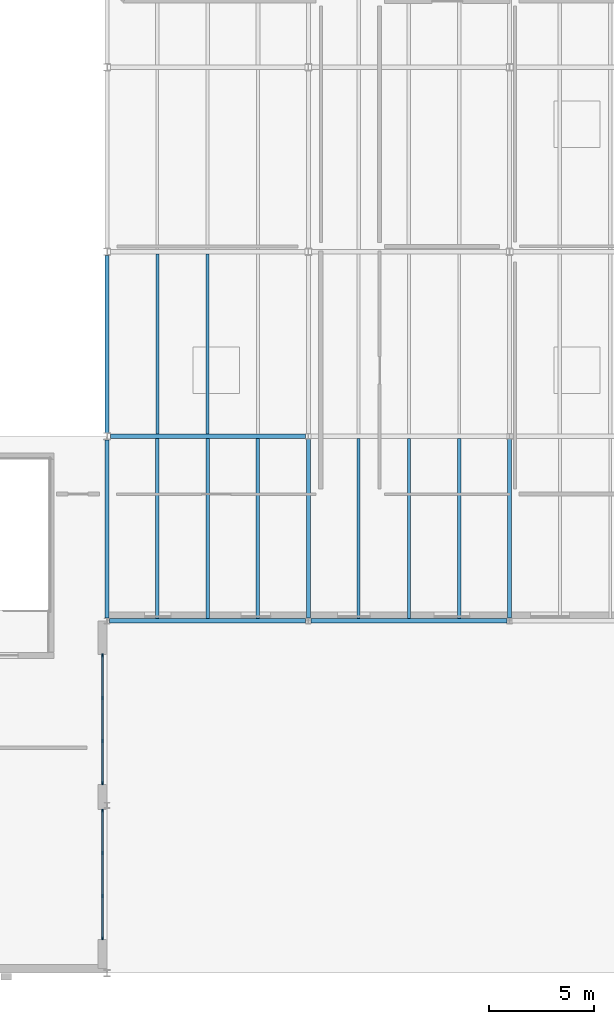
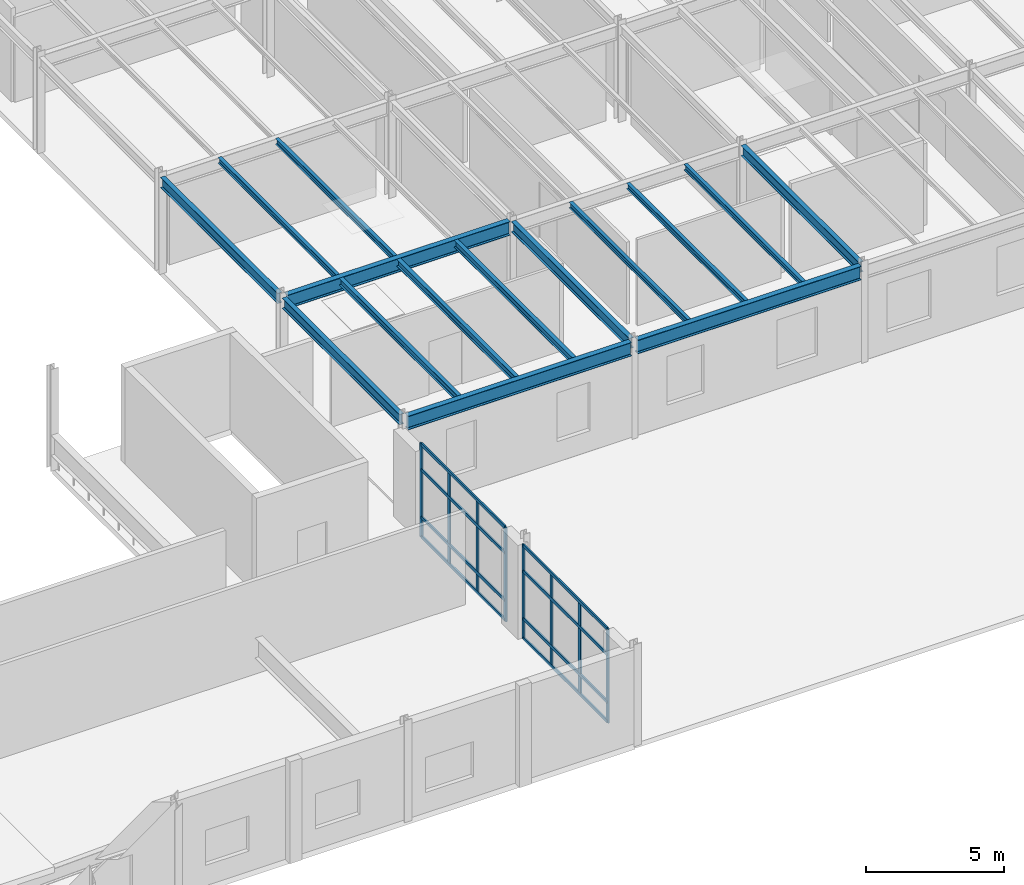
# One storey, part 23 of 77: 16 members, 15 beams, 2 elements without a shape of their own.
"""IFC4 building model written with IfcOpenShell, lengths in metres."""

from ifc_helpers import new_model, si_unit, direction, frame, origin, origin_2d, place, context, subcontext, project, spatial, rectangle, i_section, extrude, material, material_profile, profile_set, type_object, element, aggregate, save


model = new_model("IFC4")

# Units and contexts
model_context = context("Model", 3, precision=1e-05, world=origin(), true_north=direction((0.0, 1.0)))
body_context = subcontext(model_context, "Body", "Model", "MODEL_VIEW")
ifc_project = project(units=[si_unit("LENGTHUNIT", "METRE"), si_unit("AREAUNIT", "SQUARE_METRE"), si_unit("VOLUMEUNIT", "CUBIC_METRE"), si_unit("PLANEANGLEUNIT", "RADIAN"), si_unit("MASSUNIT", "GRAM", prefix="KILO")], contexts=[model_context])

# Site, building, storey
site_placement = place(None, origin())
site = spatial("IfcSite", under=ifc_project, at=site_placement, CompositionType="ELEMENT")
building_placement = place(site_placement, origin())
building = spatial("IfcBuilding", under=site, at=building_placement, Name="Sarnbrook Museum", CompositionType="ELEMENT")
storey_placement = place(building_placement, frame((0.0, 0.0, 5.60009765625)))
storey = spatial("IfcBuildingStorey", under=building, at=storey_placement, Name="L01", CompositionType="ELEMENT", Elevation=5.60009765625)

# Beams
ifc_material_1 = material(Name="Structural Steel Grade 300PLUS (AS/NZS 3679.1, fy = 280 MPa for 17 < t <= 40 mm, 300 MPa for t <= 17 mm)", Category="steel")
ifc_material_profile_1 = material_profile(ifc_material_1, i_section(OverallWidth=0.18994140625, OverallDepth=0.45703125, WebThickness=0.009033203125, FlangeThickness=0.014404296875, FilletRadius=0.011474609375, at=origin_2d()), Name="460UB74.6")
ifc_profile_set_1 = profile_set([ifc_material_profile_1], Name="Structural Steel Grade 300PLUS (AS/NZS 3679.1, fy = 280 MPa for 17 < t <= 40 mm, 300 MPa for t <= 17 mm)")
beam_type_1 = type_object("IfcBeamType", Name="BM-UB460", PredefinedType="BEAM", material=ifc_profile_set_1)
beam_1_placement = place(storey_placement, frame((80.800048828125, 21.72998046875, 4.0615234375), z_axis=(0.0, 1.0, 0.0), x_axis=(-1.0, 0.0, 0.0)))
element("IfcBeam", 1, at=beam_1_placement, inside=storey, type_object=beam_type_1, Name="Girder 9:C-D L01", PredefinedType="BEAM", context=body_context, shape_type="SweptSolid", body=[
    extrude(i_section(OverallWidth=0.18994140625, OverallDepth=0.45703125, WebThickness=0.009033203125, FlangeThickness=0.014404296875, FilletRadius=0.011474609375, at=origin_2d()), origin(), (0.0, 0.0, 1.0), 8.506591796875),
])
beam_2_placement = place(storey_placement, frame((80.800048828125, 30.5634765625, 4.0615234375), z_axis=(0.0, 1.0, 0.0), x_axis=(-1.0, 0.0, 0.0)))
element("IfcBeam", 2, at=beam_2_placement, inside=storey, type_object=beam_type_1, Name="Girder 9:D-E L01", PredefinedType="BEAM", context=body_context, shape_type="SweptSolid", body=[
    extrude(i_section(OverallWidth=0.18994140625, OverallDepth=0.45703125, WebThickness=0.009033203125, FlangeThickness=0.014404296875, FilletRadius=0.011474609375, at=origin_2d()), origin(), (0.0, 0.0, 1.0), 8.47314453125),
])
for number, where, z_axis, x_axis, name in (
    (3, (90.39990234375, 21.72998046875, 4.0615234375), (0.0, 1.0, 0.0), (-1.0, 0.0, 0.0), "Girder 10:C-D L01"),
    (4, (100.0, 21.72998046875, 4.0615234375), (0.0, 1.0, 0.0), (-1.0, 0.0, 0.0), "Girder 11:C-D L01"),
):
    element("IfcBeam", number, at=place(storey_placement, frame(where, z_axis=z_axis, x_axis=x_axis)), inside=storey, type_object=beam_type_1, Name=name, PredefinedType="BEAM", context=body_context, shape_type="SweptSolid", body=[
        extrude(i_section(OverallWidth=0.18994140625, OverallDepth=0.45703125, WebThickness=0.009033203125, FlangeThickness=0.014404296875, FilletRadius=0.011474609375, at=origin_2d()), origin(), (0.0, 0.0, 1.0), 8.5400390625),
    ])
ifc_material_profile_2 = material_profile(ifc_material_1, i_section(OverallWidth=0.22802734375, OverallDepth=0.60693359375, WebThickness=0.01123046875, FlangeThickness=0.017333984375, FilletRadius=0.013916015625, at=origin_2d()), Name="610UB113")
ifc_profile_set_2 = profile_set([ifc_material_profile_2], Name="Structural Steel Grade 300PLUS (AS/NZS 3679.1, fy = 280 MPa for 17 < t <= 40 mm, 300 MPa for t <= 17 mm)")
beam_type_2 = type_object("IfcBeamType", Name="BM-UB610", PredefinedType="BEAM", material=ifc_profile_set_2)
for number, where, z_axis, x_axis, name in (
    (5, (80.927978515625, 21.60009765625, 3.986328125), (1.0, 0.0, 0.0), (0.0, 1.0, 0.0), "Girder C:9-10 L01"),
    (6, (90.528076171875, 21.60009765625, 3.986328125), (1.0, 0.0, 0.0), (0.0, 1.0, 0.0), "Girder C:10-11 L01"),
):
    element("IfcBeam", number, at=place(storey_placement, frame(where, z_axis=z_axis, x_axis=x_axis)), inside=storey, type_object=beam_type_2, Name=name, PredefinedType="BEAM", context=body_context, shape_type="SweptSolid", body=[
        extrude(i_section(OverallWidth=0.22802734375, OverallDepth=0.60693359375, WebThickness=0.01123046875, FlangeThickness=0.017333984375, FilletRadius=0.013916015625, at=origin_2d()), origin(), (0.0, 0.0, 1.0), 9.343994140625),
    ])
beam_3_placement = place(storey_placement, frame((80.95556640625, 30.39990234375, 3.986328125), z_axis=(1.0, 0.0, 0.0), x_axis=(0.0, 1.0, 0.0)))
element("IfcBeam", 7, at=beam_3_placement, inside=storey, type_object=beam_type_2, Name="Girder D:9-10 L01", PredefinedType="BEAM", context=body_context, shape_type="SweptSolid", body=[
    extrude(i_section(OverallWidth=0.22802734375, OverallDepth=0.60693359375, WebThickness=0.01123046875, FlangeThickness=0.017333984375, FilletRadius=0.013916015625, at=origin_2d()), origin(), (0.0, 0.0, 1.0), 9.31640625),
])

# Curtain wall, members
ifc_material_2 = material(Name="Thermally Broken Anodised Aluminium 6063-T6", Category="aluminium")
curtain_wall_type = type_object("IfcCurtainWallType", Name="CurtainWall_GalleryRibbon", PredefinedType="NOTDEFINED", material=ifc_material_2)
curtain_wall_1_placement = place(storey_placement, origin())
curtain_wall_1 = element("IfcCurtainWall", 8, at=curtain_wall_1_placement, inside=storey, type_object=curtain_wall_type, Name="Gallery Ribbon Curtain Wall L01-16.1", PredefinedType="NOTDEFINED")
ifc_material_profile_3 = material_profile(ifc_material_2, rectangle(XDim=0.06005859375, YDim=0.159912109375, at=origin_2d()), Name="ALU MULLION 60x160")
ifc_profile_set_3 = profile_set([ifc_material_profile_3], Name="Thermally Broken Anodised Aluminium 6063-T6")
member_type_1 = type_object("IfcMemberType", Name="CW_Mullion_150x65", PredefinedType="MULLION", material=ifc_profile_set_3)
member_1_placement = place(storey_placement, frame((80.590087890625, 6.4599609375, 0.0), z_axis=(0.0, 0.0, 1.0), x_axis=(1.0, 0.0, 0.0)))
member_1 = element("IfcMember", 9, at=member_1_placement, type_object=member_type_1, Name="Gallery Ribbon Curtain Wall L01-16.1 Mullion 1", PredefinedType="MULLION", context=body_context, shape_type="SweptSolid", body=[
    extrude(rectangle(XDim=0.06005859375, YDim=0.159912109375, at=origin_2d()), origin(), (0.0, 0.0, 1.0), 4.159912109375),
])
member_2_placement = place(storey_placement, frame((80.590087890625, 8.473388671875, 0.0), z_axis=(0.0, 0.0, 1.0), x_axis=(1.0, 0.0, 0.0)))
member_2 = element("IfcMember", 10, at=member_2_placement, type_object=member_type_1, Name="Gallery Ribbon Curtain Wall L01-16.1 Mullion 2", PredefinedType="MULLION", context=body_context, shape_type="SweptSolid", body=[
    extrude(rectangle(XDim=0.06005859375, YDim=0.159912109375, at=origin_2d()), origin(), (0.0, 0.0, 1.0), 4.159912109375),
])
member_3_placement = place(storey_placement, frame((80.590087890625, 10.526611328125, 0.0), z_axis=(0.0, 0.0, 1.0), x_axis=(1.0, 0.0, 0.0)))
member_3 = element("IfcMember", 11, at=member_3_placement, type_object=member_type_1, Name="Gallery Ribbon Curtain Wall L01-16.1 Mullion 3", PredefinedType="MULLION", context=body_context, shape_type="SweptSolid", body=[
    extrude(rectangle(XDim=0.06005859375, YDim=0.159912109375, at=origin_2d()), origin(), (0.0, 0.0, 1.0), 4.159912109375),
])
member_4_placement = place(storey_placement, frame((80.590087890625, 12.5400390625, 0.0), z_axis=(0.0, 0.0, 1.0), x_axis=(1.0, 0.0, 0.0)))
member_4 = element("IfcMember", 12, at=member_4_placement, type_object=member_type_1, Name="Gallery Ribbon Curtain Wall L01-16.1 Mullion 4", PredefinedType="MULLION", context=body_context, shape_type="SweptSolid", body=[
    extrude(rectangle(XDim=0.06005859375, YDim=0.159912109375, at=origin_2d()), origin(), (0.0, 0.0, 1.0), 4.159912109375),
])

curtain_wall_2_placement = place(storey_placement, origin())
curtain_wall_2 = element("IfcCurtainWall", 13, at=curtain_wall_2_placement, inside=storey, type_object=curtain_wall_type, Name="Gallery Ribbon Curtain Wall L01-16.2", PredefinedType="NOTDEFINED")
member_5_placement = place(storey_placement, frame((80.590087890625, 13.860107421875, 0.0), z_axis=(0.0, 0.0, 1.0), x_axis=(1.0, 0.0, 0.0)))
member_5 = element("IfcMember", 14, at=member_5_placement, type_object=member_type_1, Name="Gallery Ribbon Curtain Wall L01-16.2 Mullion 1", PredefinedType="MULLION", context=body_context, shape_type="SweptSolid", body=[
    extrude(rectangle(XDim=0.06005859375, YDim=0.159912109375, at=origin_2d()), origin(), (0.0, 0.0, 1.0), 4.159912109375),
])
member_6_placement = place(storey_placement, frame((80.590087890625, 15.873291015625, 0.0), z_axis=(0.0, 0.0, 1.0), x_axis=(1.0, 0.0, 0.0)))
member_6 = element("IfcMember", 15, at=member_6_placement, type_object=member_type_1, Name="Gallery Ribbon Curtain Wall L01-16.2 Mullion 2", PredefinedType="MULLION", context=body_context, shape_type="SweptSolid", body=[
    extrude(rectangle(XDim=0.06005859375, YDim=0.159912109375, at=origin_2d()), origin(), (0.0, 0.0, 1.0), 4.159912109375),
])
member_7_placement = place(storey_placement, frame((80.590087890625, 17.9267578125, 0.0), z_axis=(0.0, 0.0, 1.0), x_axis=(1.0, 0.0, 0.0)))
member_7 = element("IfcMember", 16, at=member_7_placement, type_object=member_type_1, Name="Gallery Ribbon Curtain Wall L01-16.2 Mullion 3", PredefinedType="MULLION", context=body_context, shape_type="SweptSolid", body=[
    extrude(rectangle(XDim=0.06005859375, YDim=0.159912109375, at=origin_2d()), origin(), (0.0, 0.0, 1.0), 4.159912109375),
])
member_8_placement = place(storey_placement, frame((80.590087890625, 19.93994140625, 0.0), z_axis=(0.0, 0.0, 1.0), x_axis=(1.0, 0.0, 0.0)))
member_8 = element("IfcMember", 17, at=member_8_placement, type_object=member_type_1, Name="Gallery Ribbon Curtain Wall L01-16.2 Mullion 4", PredefinedType="MULLION", context=body_context, shape_type="SweptSolid", body=[
    extrude(rectangle(XDim=0.06005859375, YDim=0.159912109375, at=origin_2d()), origin(), (0.0, 0.0, 1.0), 4.159912109375),
])

# Member
ifc_material_profile_4 = material_profile(ifc_material_2, rectangle(XDim=0.06494140625, YDim=0.139892578125, at=origin_2d()), Name="ALU TRANSOM 65x140")
ifc_profile_set_4 = profile_set([ifc_material_profile_4], Name="Thermally Broken Anodised Aluminium 6063-T6")
member_type_2 = type_object("IfcMemberType", Name="CW_Transom_150x65", PredefinedType="USERDEFINED", material=ifc_profile_set_4)
member_9_placement = place(storey_placement, frame((80.590087890625, 6.469970703125, 0.039794921875), z_axis=(0.0, 1.0, 0.0), x_axis=(-1.0, 0.0, 0.0)))
member_9 = element("IfcMember", 18, at=member_9_placement, type_object=member_type_2, Name="Gallery Ribbon Curtain Wall L01-16.1 Transom 1", ObjectType="TRANSOM", PredefinedType="USERDEFINED", context=body_context, shape_type="SweptSolid", body=[
    extrude(rectangle(XDim=0.06494140625, YDim=0.139892578125, at=origin_2d()), origin(), (0.0, 0.0, 1.0), 6.06005859375),
])

member_10_placement = place(storey_placement, frame((80.590087890625, 6.469970703125, 0.89990234375), z_axis=(0.0, 1.0, 0.0), x_axis=(-1.0, 0.0, 0.0)))
member_10 = element("IfcMember", 19, at=member_10_placement, type_object=member_type_2, Name="Gallery Ribbon Curtain Wall L01-16.1 Transom 2", ObjectType="TRANSOM", PredefinedType="USERDEFINED", context=body_context, shape_type="SweptSolid", body=[
    extrude(rectangle(XDim=0.06494140625, YDim=0.139892578125, at=origin_2d()), origin(), (0.0, 0.0, 1.0), 6.06005859375),
])

member_11_placement = place(storey_placement, frame((80.590087890625, 6.469970703125, 3.0), z_axis=(0.0, 1.0, 0.0), x_axis=(-1.0, 0.0, 0.0)))
member_11 = element("IfcMember", 20, at=member_11_placement, type_object=member_type_2, Name="Gallery Ribbon Curtain Wall L01-16.1 Transom 3", ObjectType="TRANSOM", PredefinedType="USERDEFINED", context=body_context, shape_type="SweptSolid", body=[
    extrude(rectangle(XDim=0.06494140625, YDim=0.139892578125, at=origin_2d()), origin(), (0.0, 0.0, 1.0), 6.06005859375),
])

member_12_placement = place(storey_placement, frame((80.590087890625, 6.469970703125, 4.119873046875), z_axis=(0.0, 1.0, 0.0), x_axis=(-1.0, 0.0, 0.0)))
member_12 = element("IfcMember", 21, at=member_12_placement, type_object=member_type_2, Name="Gallery Ribbon Curtain Wall L01-16.1 Transom 4", ObjectType="TRANSOM", PredefinedType="USERDEFINED", context=body_context, shape_type="SweptSolid", body=[
    extrude(rectangle(XDim=0.06494140625, YDim=0.139892578125, at=origin_2d()), origin(), (0.0, 0.0, 1.0), 6.06005859375),
])

aggregate(curtain_wall_1, [member_1, member_2, member_3, member_4, member_9, member_10, member_11, member_12])

member_13_placement = place(storey_placement, frame((80.590087890625, 13.8701171875, 0.039794921875), z_axis=(0.0, 1.0, 0.0), x_axis=(-1.0, 0.0, 0.0)))
member_13 = element("IfcMember", 22, at=member_13_placement, type_object=member_type_2, Name="Gallery Ribbon Curtain Wall L01-16.2 Transom 1", ObjectType="TRANSOM", PredefinedType="USERDEFINED", context=body_context, shape_type="SweptSolid", body=[
    extrude(rectangle(XDim=0.06494140625, YDim=0.139892578125, at=origin_2d()), origin(), (0.0, 0.0, 1.0), 6.059814453125),
])

member_14_placement = place(storey_placement, frame((80.590087890625, 13.8701171875, 0.89990234375), z_axis=(0.0, 1.0, 0.0), x_axis=(-1.0, 0.0, 0.0)))
member_14 = element("IfcMember", 23, at=member_14_placement, type_object=member_type_2, Name="Gallery Ribbon Curtain Wall L01-16.2 Transom 2", ObjectType="TRANSOM", PredefinedType="USERDEFINED", context=body_context, shape_type="SweptSolid", body=[
    extrude(rectangle(XDim=0.06494140625, YDim=0.139892578125, at=origin_2d()), origin(), (0.0, 0.0, 1.0), 6.059814453125),
])

member_15_placement = place(storey_placement, frame((80.590087890625, 13.8701171875, 3.0), z_axis=(0.0, 1.0, 0.0), x_axis=(-1.0, 0.0, 0.0)))
member_15 = element("IfcMember", 24, at=member_15_placement, type_object=member_type_2, Name="Gallery Ribbon Curtain Wall L01-16.2 Transom 3", ObjectType="TRANSOM", PredefinedType="USERDEFINED", context=body_context, shape_type="SweptSolid", body=[
    extrude(rectangle(XDim=0.06494140625, YDim=0.139892578125, at=origin_2d()), origin(), (0.0, 0.0, 1.0), 6.059814453125),
])

member_16_placement = place(storey_placement, frame((80.590087890625, 13.8701171875, 4.119873046875), z_axis=(0.0, 1.0, 0.0), x_axis=(-1.0, 0.0, 0.0)))
member_16 = element("IfcMember", 25, at=member_16_placement, type_object=member_type_2, Name="Gallery Ribbon Curtain Wall L01-16.2 Transom 4", ObjectType="TRANSOM", PredefinedType="USERDEFINED", context=body_context, shape_type="SweptSolid", body=[
    extrude(rectangle(XDim=0.06494140625, YDim=0.139892578125, at=origin_2d()), origin(), (0.0, 0.0, 1.0), 6.059814453125),
])

aggregate(curtain_wall_2, [member_5, member_6, member_7, member_8, member_13, member_14, member_15, member_16])

# Beams
ifc_material_profile_5 = material_profile(ifc_material_1, i_section(OverallWidth=0.14599609375, OverallDepth=0.256103515625, WebThickness=0.00634765625, FlangeThickness=0.010986328125, FilletRadius=0.0087890625, at=origin_2d()), Name="250UB37.3")
ifc_profile_set_5 = profile_set([ifc_material_profile_5], Name="Structural Steel Grade 300PLUS (AS/NZS 3679.1, fy = 280 MPa for 17 < t <= 40 mm, 300 MPa for t <= 17 mm)")
beam_type_3 = type_object("IfcBeamType", Name="JS-UB250", PredefinedType="JOIST", material=ifc_profile_set_5)
for number, where, z_axis, x_axis, name in (
    (26, (83.199951171875, 30.513916015625, 4.161865234375), (0.0, 1.0, 0.0), (-1.0, 0.0, 0.0), "Composite Floor Joist 9D-1 L01"),
    (27, (85.60009765625, 30.513916015625, 4.161865234375), (0.0, 1.0, 0.0), (-1.0, 0.0, 0.0), "Composite Floor Joist 9D-2 L01"),
):
    element("IfcBeam", number, at=place(storey_placement, frame(where, z_axis=z_axis, x_axis=x_axis)), inside=storey, type_object=beam_type_3, Name=name, PredefinedType="JOIST", context=body_context, shape_type="SweptSolid", body=[
        extrude(i_section(OverallWidth=0.14599609375, OverallDepth=0.256103515625, WebThickness=0.00634765625, FlangeThickness=0.010986328125, FilletRadius=0.0087890625, at=origin_2d()), origin(), (0.0, 0.0, 1.0), 8.572021484375),
    ])
for number, where, z_axis, x_axis, name in (
    (28, (92.800048828125, 21.714111328125, 4.161865234375), (0.0, 1.0, 0.0), (-1.0, 0.0, 0.0), "Composite Floor Joist 10C-1 L01"),
    (29, (95.199951171875, 21.714111328125, 4.161865234375), (0.0, 1.0, 0.0), (-1.0, 0.0, 0.0), "Composite Floor Joist 10C-2 L01"),
    (30, (97.60009765625, 21.714111328125, 4.161865234375), (0.0, 1.0, 0.0), (-1.0, 0.0, 0.0), "Composite Floor Joist 10C-3 L01"),
):
    element("IfcBeam", number, at=place(storey_placement, frame(where, z_axis=z_axis, x_axis=x_axis)), inside=storey, type_object=beam_type_3, Name=name, PredefinedType="JOIST", context=body_context, shape_type="SweptSolid", body=[
        extrude(i_section(OverallWidth=0.14599609375, OverallDepth=0.256103515625, WebThickness=0.00634765625, FlangeThickness=0.010986328125, FilletRadius=0.0087890625, at=origin_2d()), origin(), (0.0, 0.0, 1.0), 8.57177734375),
    ])
ifc_material_profile_6 = material_profile(ifc_material_1, i_section(OverallWidth=0.1650390625, OverallDepth=0.303955078125, WebThickness=0.006103515625, FlangeThickness=0.01025390625, FilletRadius=0.011474609375, at=origin_2d()), Name="310UB40.4")
ifc_profile_set_6 = profile_set([ifc_material_profile_6], Name="Structural Steel Grade 300PLUS (AS/NZS 3679.1, fy = 280 MPa for 17 < t <= 40 mm, 300 MPa for t <= 17 mm)")
beam_type_4 = type_object("IfcBeamType", Name="JS-UB310", PredefinedType="JOIST", material=ifc_profile_set_6)
for number, where, z_axis, x_axis, name in (
    (31, (83.199951171875, 21.714111328125, 4.137939453125), (0.0, 1.0, 0.0), (-1.0, 0.0, 0.0), "Composite Floor Joist 9C-1 L01"),
    (32, (85.60009765625, 21.714111328125, 4.137939453125), (0.0, 1.0, 0.0), (-1.0, 0.0, 0.0), "Composite Floor Joist 9C-2 L01"),
    (33, (88.0, 21.714111328125, 4.137939453125), (0.0, 1.0, 0.0), (-1.0, 0.0, 0.0), "Composite Floor Joist 9C-3 L01"),
):
    element("IfcBeam", number, at=place(storey_placement, frame(where, z_axis=z_axis, x_axis=x_axis)), inside=storey, type_object=beam_type_4, Name=name, PredefinedType="JOIST", context=body_context, shape_type="SweptSolid", body=[
        extrude(i_section(OverallWidth=0.1650390625, OverallDepth=0.303955078125, WebThickness=0.006103515625, FlangeThickness=0.01025390625, FilletRadius=0.011474609375, at=origin_2d()), origin(), (0.0, 0.0, 1.0), 8.57177734375),
    ])

save(model, "model.ifc")
